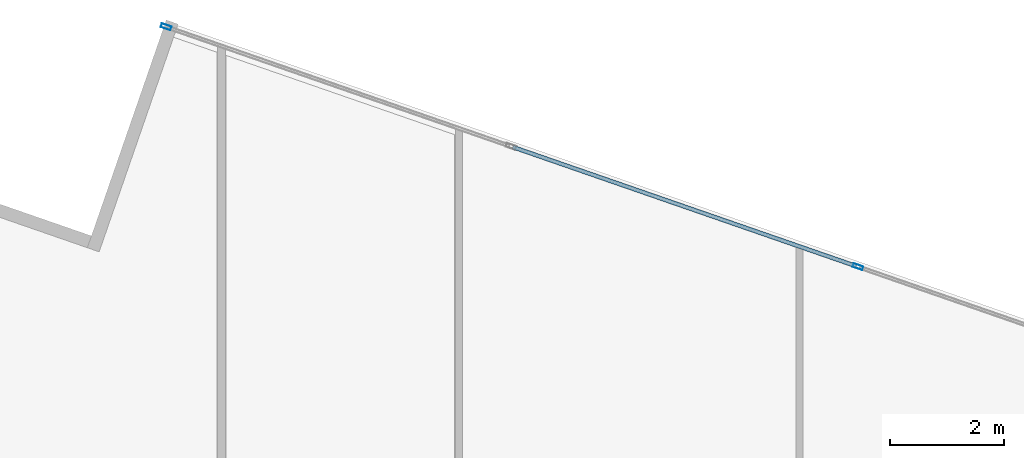
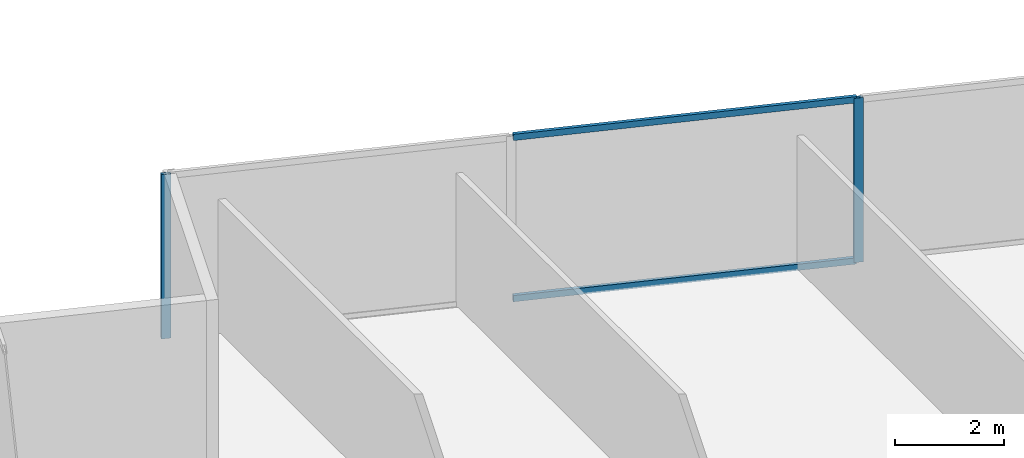
# One storey, part 18 of 28: 4 members, 1 element without a shape of its own.
"""IFC4 building model written with IfcOpenShell, lengths in metres."""

from ifc_helpers import new_model, si_unit, direction, frame, origin, origin_2d, place, context, subcontext, project, spatial, hollow_rectangle, extrude, source, transform, mapped, material, material_profile, profile_set, type_object, type_shapes, element, aggregate, save


model = new_model("IFC4")

# Units and contexts
model_context = context("Model", 3, precision=1e-05, world=origin(), true_north=direction((0.0, 1.0)))
body_context = subcontext(model_context, "Body", "Model", "MODEL_VIEW")
ifc_project = project(units=[si_unit("LENGTHUNIT", "METRE"), si_unit("AREAUNIT", "SQUARE_METRE"), si_unit("VOLUMEUNIT", "CUBIC_METRE"), si_unit("PLANEANGLEUNIT", "RADIAN"), si_unit("MASSUNIT", "GRAM", prefix="KILO")], contexts=[model_context])

# Site, building, storey
site_placement = place(None, origin())
site = spatial("IfcSite", under=ifc_project, at=site_placement, CompositionType="ELEMENT")
building_placement = place(site_placement, origin())
building = spatial("IfcBuilding", under=site, at=building_placement, Name="Krantzveldt Concourse Tower", CompositionType="ELEMENT")
storey_placement = place(building_placement, frame((0.0, 0.0, 117.699951171875)))
storey = spatial("IfcBuildingStorey", under=building, at=storey_placement, Name="L28", CompositionType="ELEMENT", Elevation=117.699951171875)

# Curtain wall, members
ifc_material = material(Name="Anodised aluminium 6063-T6", Category="aluminium")
curtain_wall_type = type_object("IfcCurtainWallType", Name="CW2", PredefinedType="USERDEFINED", material=ifc_material)
curtain_wall_placement = place(storey_placement, origin())
curtain_wall = element("IfcCurtainWall", 1, at=curtain_wall_placement, inside=storey, type_object=curtain_wall_type, Name="CW-L28-F10", ObjectType="UNITISED CURTAIN WALL", PredefinedType="USERDEFINED")
ifc_material_profile_1 = material_profile(ifc_material, hollow_rectangle(XDim=0.070068359375, YDim=0.179931640625, WallThickness=0.0048828125, at=origin_2d()), Name="Anodised aluminium 6063-T6", Category="aluminium")
ifc_profile_set_1 = profile_set([ifc_material_profile_1], Name="Anodised aluminium 6063-T6 - ALU-MULL 180x70x5")
member_type_1 = type_object("IfcMemberType", Name="CW-MUL-180", PredefinedType="MULLION", material=ifc_profile_set_1)
shared_shape_1 = source(origin(), body_context, "Body", "SweptSolid", [
    extrude(hollow_rectangle(XDim=0.070068359375, YDim=0.179931640625, WallThickness=0.0048828125, at=origin_2d()), origin(), (0.0, 0.0, 1.0), 3.670166015625),
])
type_shapes(member_type_1, [shared_shape_1])
member_1_placement = place(storey_placement, frame((37.52734375, 50.842041015625, 0.0), z_axis=(0.0, 0.0, 1.0), x_axis=(-0.32763019404, -0.944806041446, 0.0)))
member_1 = element("IfcMember", 2, at=member_1_placement, type_object=member_type_1, Name="CW-Z12 mullion 5", PredefinedType="MULLION", context=body_context, shape_type="MappedRepresentation", body=[
    mapped(shared_shape_1, transform((0.0, 0.0, 0.0), x_axis=(1.0, 0.0, 0.0), y_axis=(0.0, 1.0, 0.0), z_axis=(0.0, 0.0, 1.0), scale=1.0)),
])
member_2_placement = place(storey_placement, frame((25.3408203125, 55.06787109375, 0.0), z_axis=(0.0, 0.0, 1.0), x_axis=(-0.32763019404, -0.944806041446, 0.0)))
member_2 = element("IfcMember", 3, at=member_2_placement, type_object=member_type_1, Name="CW-Z12 mullion 7", PredefinedType="MULLION", context=body_context, shape_type="MappedRepresentation", body=[
    mapped(shared_shape_1, transform((0.0, 0.0, 0.0), x_axis=(1.0, 0.0, 0.0), y_axis=(0.0, 1.0, 0.0), z_axis=(0.0, 0.0, 1.0), scale=1.0)),
])
ifc_material_profile_2 = material_profile(ifc_material, hollow_rectangle(XDim=0.070068359375, YDim=0.139892578125, WallThickness=0.0048828125, at=origin_2d()), Name="Anodised aluminium 6063-T6", Category="aluminium")
ifc_profile_set_2 = profile_set([ifc_material_profile_2], Name="Anodised aluminium 6063-T6 - ALU-TRAN 140x70x5")
member_type_2 = type_object("IfcMemberType", Name="CW-TRN-150", PredefinedType="USERDEFINED", material=ifc_profile_set_2)
shared_shape_2 = source(origin(), body_context, "Body", "SweptSolid", [
    extrude(hollow_rectangle(XDim=0.070068359375, YDim=0.139892578125, WallThickness=0.0048828125, at=origin_2d()), origin(), (0.0, 0.0, 1.0), 6.396484375),
])
type_shapes(member_type_2, [shared_shape_2])
member_3_placement = place(storey_placement, frame((37.494140625, 50.853515625, 0.03515625), z_axis=(-0.944805325706, 0.327632258054, 0.0), x_axis=(-0.327632258054, -0.944805325706, 0.0)))
member_3 = element("IfcMember", 4, at=member_3_placement, type_object=member_type_2, Name="CW-Z12 transom 5.1", ObjectType="TRANSOM", PredefinedType="USERDEFINED", context=body_context, shape_type="MappedRepresentation", body=[
    mapped(shared_shape_2, transform((0.0, 0.0, 0.0), x_axis=(1.0, 0.0, 0.0), y_axis=(0.0, 1.0, 0.0), z_axis=(0.0, 0.0, 1.0), scale=1.0)),
])
member_4_placement = place(storey_placement, frame((37.494140625, 50.853515625, 3.635009765625), z_axis=(-0.944805325706, 0.327632258054, 0.0), x_axis=(-0.327632258054, -0.944805325706, 0.0)))
member_4 = element("IfcMember", 5, at=member_4_placement, type_object=member_type_2, Name="CW-Z12 transom 5.2", ObjectType="TRANSOM", PredefinedType="USERDEFINED", context=body_context, shape_type="MappedRepresentation", body=[
    mapped(shared_shape_2, transform((0.0, 0.0, 0.0), x_axis=(1.0, 0.0, 0.0), y_axis=(0.0, 1.0, 0.0), z_axis=(0.0, 0.0, 1.0), scale=1.0)),
])
aggregate(curtain_wall, [member_1, member_2, member_3, member_4])

save(model, "model.ifc")
